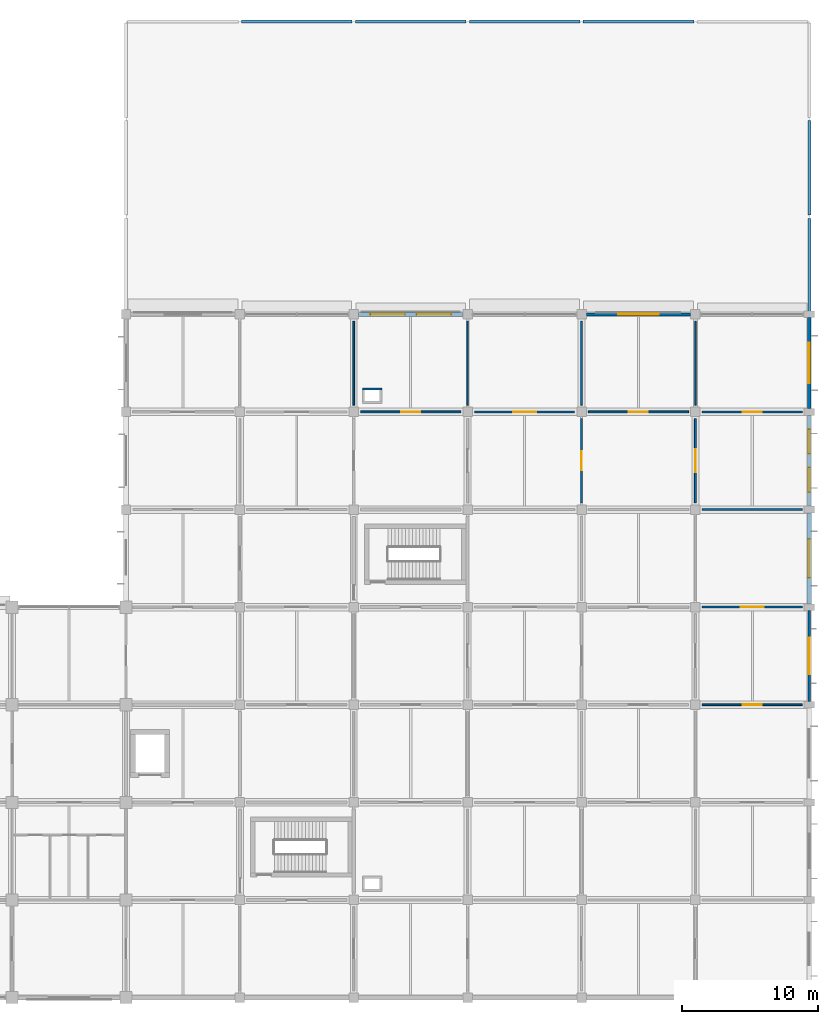
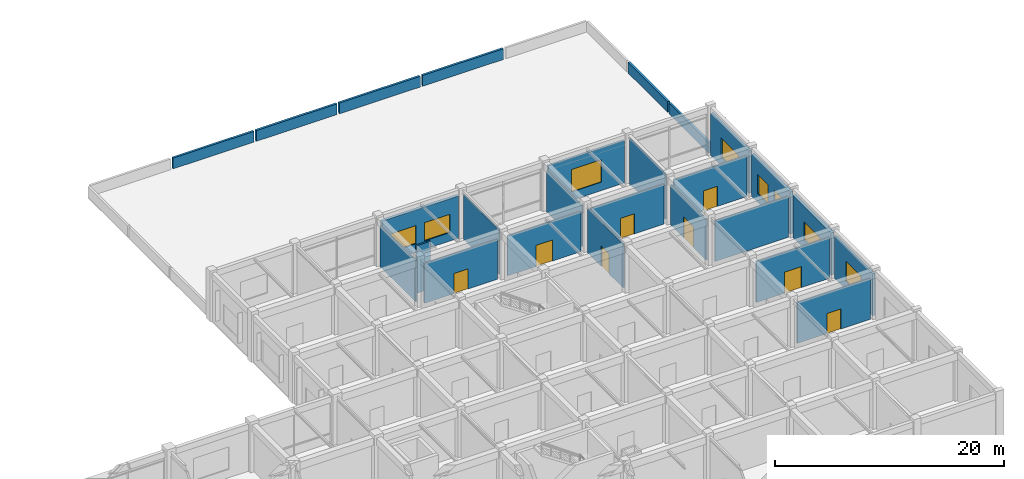
# One storey, part 30 of 41: 26 walls, 8 doors, 8 windows, 16 openings.
"""IFC4 building model written with IfcOpenShell, lengths in metres."""

from ifc_helpers import new_model, si_unit, derived_unit, direction, frame, frame_2d, origin, place, context, subcontext, project, spatial, rectangle, extrude, material, layer, layer_set, type_object, element, fill, save


model = new_model("IFC4")

# Units and contexts
model_context = context("Model", 3, precision=1e-05, world=origin(), true_north=direction((0.0, 1.0)))
body_context = subcontext(model_context, "Body", "Model", "MODEL_VIEW")
ifc_project = project(units=[si_unit("LENGTHUNIT", "METRE"), si_unit("AREAUNIT", "SQUARE_METRE"), si_unit("VOLUMEUNIT", "CUBIC_METRE"), si_unit("PLANEANGLEUNIT", "RADIAN"), si_unit("MASSUNIT", "GRAM", prefix="KILO"), derived_unit("THERMALTRANSMITTANCEUNIT", [(si_unit("MASSUNIT", "GRAM", prefix="KILO"), 1), (si_unit("TIMEUNIT", "SECOND"), -3), (si_unit("THERMODYNAMICTEMPERATUREUNIT", "KELVIN"), -1)])], contexts=[model_context])

# Site, building, storey
site_placement = place(None, origin())
site = spatial("IfcSite", under=ifc_project, at=site_placement, CompositionType="ELEMENT")
building_placement = place(site_placement, origin())
building = spatial("IfcBuilding", under=site, at=building_placement, Name="Veldstrom Oceanarium and Marine Research Institute", CompositionType="ELEMENT")
storey_placement = place(building_placement, frame((0.0, 0.0, 6.0)))
storey = spatial("IfcBuildingStorey", under=building, at=storey_placement, Name="L01", CompositionType="ELEMENT", Elevation=6.0)

# Wall, opening, window
ifc_material_1 = material(Name="Masonry Cavity Wall", Category="masonry")
ifc_layer_1 = layer(ifc_material_1, 0.31005859375)
ifc_layer_set_1 = layer_set([ifc_layer_1], Name="ARC-WAL-EW1")
wall_type_1 = type_object("IfcWallType", Name="ARC-WAL-EW1", PredefinedType="SOLIDWALL", material=ifc_layer_set_1)
wall_1_placement = place(storey_placement, frame((168.0, 72.25, 0.0), z_axis=(0.0, 0.0, 1.0), x_axis=(0.0, 1.0, 0.0)))
wall_1 = element("IfcWall", 1, at=wall_1_placement, inside=storey, type_object=wall_type_1, Name="Exterior Facade Wall EW1 L01-112", PredefinedType="SOLIDWALL", context=body_context, shape_type="SweptSolid", body=[
    extrude(rectangle(XDim=6.699951171875, YDim=0.31005859375, at=frame_2d((3.35009765625, 0.0))), origin(), (0.0, 0.0, 1.0), 4.52001953125),
])
opening_1_placement = place(wall_1_placement, frame((1.925048828125, 0.0, 0.89990234375)))
opening_1 = element("IfcOpeningElement", 2, at=opening_1_placement, cuts=wall_1, Name="Opening W19", PredefinedType="OPENING", context=body_context, shape_type="SweptSolid", body=[
    extrude(rectangle(XDim=2.85009765625, YDim=1.949951171875, at=frame_2d((1.425048828125, 0.97509765625))), frame((0.0, 0.1650390625, 0.0), z_axis=(0.0, -1.0, 0.0), x_axis=(1.0, 0.0, 0.0)), (0.0, 0.0, 1.0), 0.330078125),
])
ifc_material_2 = material(Name="Double Glazed Low-E IGU", Category="glass")
window_type_1 = type_object("IfcWindowType", Name="ARC-WIN-W19", PartitioningType="SINGLE_PANEL", PredefinedType="WINDOW", material=ifc_material_2)
window_1_placement = place(opening_1_placement, origin())
window_1 = element("IfcWindow", 3, at=window_1_placement, inside=storey, type_object=window_type_1, Name="Facade Window W19 L01-0077", OverallHeight=1.949951171875, OverallWidth=2.85009765625, PartitioningType="SINGLE_PANEL", PredefinedType="WINDOW", context=body_context, shape_type="SweptSolid", body=[
    extrude(rectangle(XDim=2.85009765625, YDim=1.949951171875, at=frame_2d((1.425048828125, 0.97509765625))), frame((0.0, 0.030029296875, 0.0), z_axis=(0.0, -1.0, 0.0), x_axis=(1.0, 0.0, 0.0)), (0.0, 0.0, 1.0), 0.06005859375),
])
fill(opening_1, window_1)

# Wall, openings, windows
ifc_material_3 = material(Name="Masonry Cavity Wall", Category="masonry")
ifc_layer_2 = layer(ifc_material_3, 0.2900390625)
ifc_layer_set_2 = layer_set([ifc_layer_2], Name="ARC-WAL-EW2")
wall_type_2 = type_object("IfcWallType", Name="ARC-WAL-EW2", PredefinedType="SOLIDWALL", material=ifc_layer_set_2)
wall_2_placement = place(storey_placement, frame((134.75, 93.60009765625, 0.0), z_axis=(0.0, 0.0, 1.0), x_axis=(1.0, 0.0, 0.0)))
wall_2 = element("IfcWall", 4, at=wall_2_placement, inside=storey, type_object=wall_type_2, Name="Exterior Facade Wall EW2 L01-103", PredefinedType="SOLIDWALL", context=body_context, shape_type="SweptSolid", body=[
    extrude(rectangle(XDim=7.699951171875, YDim=0.2900390625, at=frame_2d((3.85009765625, 0.0))), origin(), (0.0, 0.0, 1.0), 4.52001953125),
])
opening_2_placement = place(wall_2_placement, frame((0.86669921875, 0.0, 0.89990234375)))
opening_2 = element("IfcOpeningElement", 5, at=opening_2_placement, cuts=wall_2, Name="Opening W20", PredefinedType="OPENING", context=body_context, shape_type="SweptSolid", body=[
    extrude(rectangle(XDim=2.550048828125, YDim=1.949951171875, at=frame_2d((1.27490234375, 0.97509765625))), frame((0.0, 0.155029296875, 0.0), z_axis=(0.0, -1.0, 0.0), x_axis=(1.0, 0.0, 0.0)), (0.0, 0.0, 1.0), 0.31005859375),
])
opening_3_placement = place(wall_2_placement, frame((4.283203125, 0.0, 0.89990234375)))
opening_3 = element("IfcOpeningElement", 6, at=opening_3_placement, cuts=wall_2, Name="Opening W20", PredefinedType="OPENING", context=body_context, shape_type="SweptSolid", body=[
    extrude(rectangle(XDim=2.550048828125, YDim=1.949951171875, at=frame_2d((1.27490234375, 0.97509765625))), frame((0.0, 0.155029296875, 0.0), z_axis=(0.0, -1.0, 0.0), x_axis=(1.0, 0.0, 0.0)), (0.0, 0.0, 1.0), 0.31005859375),
])
ifc_material_4 = material(Name="Double Glazed Low-E IGU", Category="glass")
window_type_2 = type_object("IfcWindowType", Name="ARC-WIN-W20", PartitioningType="SINGLE_PANEL", PredefinedType="WINDOW", material=ifc_material_4)
window_2_placement = place(opening_2_placement, origin())
window_2 = element("IfcWindow", 7, at=window_2_placement, inside=storey, type_object=window_type_2, Name="Facade Window W20 L01-0070", OverallHeight=1.949951171875, OverallWidth=2.550048828125, PartitioningType="SINGLE_PANEL", PredefinedType="WINDOW", context=body_context, shape_type="SweptSolid", body=[
    extrude(rectangle(XDim=2.550048828125, YDim=1.949951171875, at=frame_2d((1.27490234375, 0.97509765625))), frame((0.0, 0.030029296875, 0.0), z_axis=(0.0, -1.0, 0.0), x_axis=(1.0, 0.0, 0.0)), (0.0, 0.0, 1.0), 0.06005859375),
])
fill(opening_2, window_2)
window_3_placement = place(opening_3_placement, origin())
window_3 = element("IfcWindow", 8, at=window_3_placement, inside=storey, type_object=window_type_2, Name="Facade Window W20 L01-0071", OverallHeight=1.949951171875, OverallWidth=2.550048828125, PartitioningType="SINGLE_PANEL", PredefinedType="WINDOW", context=body_context, shape_type="SweptSolid", body=[
    extrude(rectangle(XDim=2.550048828125, YDim=1.949951171875, at=frame_2d((1.27490234375, 0.97509765625))), frame((0.0, 0.030029296875, 0.0), z_axis=(0.0, -1.0, 0.0), x_axis=(1.0, 0.0, 0.0)), (0.0, 0.0, 1.0), 0.06005859375),
])
fill(opening_3, window_3)

wall_3_placement = place(storey_placement, frame((168.0, 79.449951171875, 0.0), z_axis=(0.0, 0.0, 1.0), x_axis=(0.0, 1.0, 0.0)))
wall_3 = element("IfcWall", 9, at=wall_3_placement, inside=storey, type_object=wall_type_2, Name="Exterior Facade Wall EW2 L01-113", PredefinedType="SOLIDWALL", context=body_context, shape_type="SweptSolid", body=[
    extrude(rectangle(XDim=6.699951171875, YDim=0.2900390625, at=frame_2d((3.35009765625, 0.0))), origin(), (0.0, 0.0, 1.0), 4.52001953125),
])
opening_4_placement = place(wall_3_placement, frame((1.033203125, 0.0, 0.89990234375)))
opening_4 = element("IfcOpeningElement", 10, at=opening_4_placement, cuts=wall_3, Name="Opening W10", PredefinedType="OPENING", context=body_context, shape_type="SweptSolid", body=[
    extrude(rectangle(XDim=1.800048828125, YDim=2.10009765625, at=frame_2d((0.89990234375, 1.050048828125))), frame((0.0, 0.155029296875, 0.0), z_axis=(0.0, -1.0, 0.0), x_axis=(1.0, 0.0, 0.0)), (0.0, 0.0, 1.0), 0.31005859375),
])
opening_5_placement = place(wall_3_placement, frame((3.86669921875, 0.0, 0.89990234375)))
opening_5 = element("IfcOpeningElement", 11, at=opening_5_placement, cuts=wall_3, Name="Opening W10", PredefinedType="OPENING", context=body_context, shape_type="SweptSolid", body=[
    extrude(rectangle(XDim=1.800048828125, YDim=2.10009765625, at=frame_2d((0.89990234375, 1.050048828125))), frame((0.0, 0.155029296875, 0.0), z_axis=(0.0, -1.0, 0.0), x_axis=(1.0, 0.0, 0.0)), (0.0, 0.0, 1.0), 0.31005859375),
])
ifc_material_5 = material(Name="Double Glazed Low-E IGU", Category="glass")
window_type_3 = type_object("IfcWindowType", Name="ARC-WIN-W10", PartitioningType="SINGLE_PANEL", PredefinedType="WINDOW", material=ifc_material_5)
window_4_placement = place(opening_4_placement, origin())
window_4 = element("IfcWindow", 12, at=window_4_placement, inside=storey, type_object=window_type_3, Name="Facade Window W10 L01-0078", OverallHeight=2.10009765625, OverallWidth=1.800048828125, PartitioningType="SINGLE_PANEL", PredefinedType="WINDOW", context=body_context, shape_type="SweptSolid", body=[
    extrude(rectangle(XDim=1.800048828125, YDim=2.10009765625, at=frame_2d((0.89990234375, 1.050048828125))), frame((0.0, 0.030029296875, 0.0), z_axis=(0.0, -1.0, 0.0), x_axis=(1.0, 0.0, 0.0)), (0.0, 0.0, 1.0), 0.06005859375),
])
fill(opening_4, window_4)
window_5_placement = place(opening_5_placement, origin())
window_5 = element("IfcWindow", 13, at=window_5_placement, inside=storey, type_object=window_type_3, Name="Facade Window W10 L01-0079", OverallHeight=2.10009765625, OverallWidth=1.800048828125, PartitioningType="SINGLE_PANEL", PredefinedType="WINDOW", context=body_context, shape_type="SweptSolid", body=[
    extrude(rectangle(XDim=1.800048828125, YDim=2.10009765625, at=frame_2d((0.89990234375, 1.050048828125))), frame((0.0, 0.030029296875, 0.0), z_axis=(0.0, -1.0, 0.0), x_axis=(1.0, 0.0, 0.0)), (0.0, 0.0, 1.0), 0.06005859375),
])
fill(opening_5, window_5)

# Wall, opening, window
ifc_material_6 = material(Name="Masonry Cavity Wall", Category="masonry")
ifc_layer_3 = layer(ifc_material_6, 0.27001953125)
ifc_layer_set_3 = layer_set([ifc_layer_3], Name="ARC-WAL-EW3")
wall_type_3 = type_object("IfcWallType", Name="ARC-WAL-EW3", PredefinedType="SOLIDWALL", material=ifc_layer_set_3)
wall_4_placement = place(storey_placement, frame((168.0, 86.64990234375, 0.0), z_axis=(0.0, 0.0, 1.0), x_axis=(0.0, 1.0, 0.0)))
wall_4 = element("IfcWall", 14, at=wall_4_placement, inside=storey, type_object=wall_type_3, Name="Exterior Facade Wall EW3 L01-114", PredefinedType="SOLIDWALL", context=body_context, shape_type="SweptSolid", body=[
    extrude(rectangle(XDim=6.7001953125, YDim=0.27001953125, at=frame_2d((3.35009765625, 0.0))), origin(), (0.0, 0.0, 1.0), 4.52001953125),
])
opening_6_placement = place(wall_4_placement, frame((1.85009765625, 0.0, 0.89990234375)))
opening_6 = element("IfcOpeningElement", 15, at=opening_6_placement, cuts=wall_4, Name="Opening W07", PredefinedType="OPENING", context=body_context, shape_type="SweptSolid", body=[
    extrude(rectangle(XDim=3.0, YDim=2.10009765625, at=frame_2d((1.5, 1.050048828125))), frame((0.0, 0.14501953125, 0.0), z_axis=(0.0, -1.0, 0.0), x_axis=(1.0, 0.0, 0.0)), (0.0, 0.0, 1.0), 0.2900390625),
])
ifc_material_7 = material(Name="Double Glazed Low-E IGU", Category="glass")
window_type_4 = type_object("IfcWindowType", Name="ARC-WIN-W07", PartitioningType="SINGLE_PANEL", PredefinedType="WINDOW", material=ifc_material_7)
window_6_placement = place(opening_6_placement, origin())
window_6 = element("IfcWindow", 16, at=window_6_placement, inside=storey, type_object=window_type_4, Name="Facade Window W07 L01-0080", OverallHeight=2.10009765625, OverallWidth=3.0, PartitioningType="SINGLE_PANEL", PredefinedType="WINDOW", context=body_context, shape_type="SweptSolid", body=[
    extrude(rectangle(XDim=3.0, YDim=2.10009765625, at=frame_2d((1.5, 1.050048828125))), frame((0.0, 0.030029296875, 0.0), z_axis=(0.0, -1.0, 0.0), x_axis=(1.0, 0.0, 0.0)), (0.0, 0.0, 1.0), 0.06005859375),
])
fill(opening_6, window_6)

ifc_material_8 = material(Name="Masonry Cavity Wall", Category="masonry")
ifc_layer_4 = layer(ifc_material_8, 0.215087890625)
ifc_layer_set_4 = layer_set([ifc_layer_4], Name="ARC-WAL-EW6")
wall_type_4 = type_object("IfcWallType", Name="ARC-WAL-EW6", PredefinedType="SOLIDWALL", material=ifc_layer_set_4)
wall_5_placement = place(storey_placement, frame((151.550048828125, 93.60009765625, 0.0), z_axis=(0.0, 0.0, 1.0), x_axis=(1.0, 0.0, 0.0)))
wall_5 = element("IfcWall", 17, at=wall_5_placement, inside=storey, type_object=wall_type_4, Name="Exterior Facade Wall EW6 L01-106", PredefinedType="SOLIDWALL", context=body_context, shape_type="SweptSolid", body=[
    extrude(rectangle(XDim=7.699951171875, YDim=0.215087890625, at=frame_2d((3.85009765625, 0.0))), origin(), (0.0, 0.0, 1.0), 4.52001953125),
])
opening_7_placement = place(wall_5_placement, frame((2.35009765625, 0.0, 0.89990234375)))
opening_7 = element("IfcOpeningElement", 18, at=opening_7_placement, cuts=wall_5, Name="Opening W12", PredefinedType="OPENING", context=body_context, shape_type="SweptSolid", body=[
    extrude(rectangle(XDim=3.0, YDim=2.39990234375, at=frame_2d((1.5, 1.199951171875))), frame((0.0, 0.117431640625, 0.0), z_axis=(0.0, -1.0, 0.0), x_axis=(1.0, 0.0, 0.0)), (0.0, 0.0, 1.0), 0.235107421875),
])
ifc_material_9 = material(Name="Double Glazed Low-E IGU", Category="glass")
window_type_5 = type_object("IfcWindowType", Name="ARC-WIN-W12", PartitioningType="SINGLE_PANEL", PredefinedType="WINDOW", material=ifc_material_9)
window_7_placement = place(opening_7_placement, origin())
window_7 = element("IfcWindow", 19, at=window_7_placement, inside=storey, type_object=window_type_5, Name="Facade Window W12 L01-0072", OverallHeight=2.39990234375, OverallWidth=3.0, PartitioningType="SINGLE_PANEL", PredefinedType="WINDOW", context=body_context, shape_type="SweptSolid", body=[
    extrude(rectangle(XDim=3.0, YDim=2.39990234375, at=frame_2d((1.5, 1.199951171875))), frame((0.0, 0.030029296875, 0.0), z_axis=(0.0, -1.0, 0.0), x_axis=(1.0, 0.0, 0.0)), (0.0, 0.0, 1.0), 0.06005859375),
])
fill(opening_7, window_7)

wall_6_placement = place(storey_placement, frame((168.0, 65.050048828125, 0.0), z_axis=(0.0, 0.0, 1.0), x_axis=(0.0, 1.0, 0.0)))
wall_6 = element("IfcWall", 20, at=wall_6_placement, inside=storey, type_object=wall_type_4, Name="Exterior Facade Wall EW6 L01-111", PredefinedType="SOLIDWALL", context=body_context, shape_type="SweptSolid", body=[
    extrude(rectangle(XDim=6.699951171875, YDim=0.215087890625, at=frame_2d((3.35009765625, 0.0))), origin(), (0.0, 0.0, 1.0), 4.52001953125),
])
opening_8_placement = place(wall_6_placement, frame((2.0, 0.0, 0.89990234375)))
opening_8 = element("IfcOpeningElement", 21, at=opening_8_placement, cuts=wall_6, Name="Opening W08", PredefinedType="OPENING", context=body_context, shape_type="SweptSolid", body=[
    extrude(rectangle(XDim=2.699951171875, YDim=2.10009765625, at=frame_2d((1.35009765625, 1.050048828125))), frame((0.0, 0.117431640625, 0.0), z_axis=(0.0, -1.0, 0.0), x_axis=(1.0, 0.0, 0.0)), (0.0, 0.0, 1.0), 0.235107421875),
])
ifc_material_10 = material(Name="Double Glazed Low-E IGU", Category="glass")
window_type_6 = type_object("IfcWindowType", Name="ARC-WIN-W08", PartitioningType="SINGLE_PANEL", PredefinedType="WINDOW", material=ifc_material_10)
window_8_placement = place(opening_8_placement, origin())
window_8 = element("IfcWindow", 22, at=window_8_placement, inside=storey, type_object=window_type_6, Name="Facade Window W08 L01-0076", OverallHeight=2.10009765625, OverallWidth=2.699951171875, PartitioningType="SINGLE_PANEL", PredefinedType="WINDOW", context=body_context, shape_type="SweptSolid", body=[
    extrude(rectangle(XDim=2.699951171875, YDim=2.10009765625, at=frame_2d((1.35009765625, 1.050048828125))), frame((0.0, 0.030029296875, 0.0), z_axis=(0.0, -1.0, 0.0), x_axis=(1.0, 0.0, 0.0)), (0.0, 0.0, 1.0), 0.06005859375),
])
fill(opening_8, window_8)

# Walls
ifc_material_11 = material(Name="Masonry Cavity Wall", Category="masonry")
ifc_layer_5 = layer(ifc_material_11, 0.219970703125)
ifc_layer_set_5 = layer_set([ifc_layer_5], Name="ARC-WAL-PR1")
wall_type_5 = type_object("IfcWallType", Name="ARC-WAL-PR1", PredefinedType="PARAPET", material=ifc_layer_set_5)
for number, where, z_axis, x_axis, name in (
    (23, (126.1201171875, 115.199951171875, 0.0), (0.0, 0.0, 1.0), (1.0, 0.0, 0.0), "Roof Parapet Wall L00-014"),
    (24, (134.52001953125, 115.199951171875, 0.0), (0.0, 0.0, 1.0), (1.0, 0.0, 0.0), "Roof Parapet Wall L00-015"),
):
    element("IfcWall", number, at=place(storey_placement, frame(where, z_axis=z_axis, x_axis=x_axis)), inside=storey, type_object=wall_type_5, Name=name, PredefinedType="PARAPET", context=body_context, shape_type="SweptSolid", body=[
        extrude(rectangle(XDim=8.159912109375, YDim=0.219970703125, at=frame_2d((4.080078125, 0.0))), origin(), (0.0, 0.0, 1.0), 1.14990234375),
    ])
wall_7_placement = place(storey_placement, frame((142.919921875, 115.199951171875, 0.0), z_axis=(0.0, 0.0, 1.0), x_axis=(1.0, 0.0, 0.0)))
element("IfcWall", 25, at=wall_7_placement, inside=storey, type_object=wall_type_5, Name="Roof Parapet Wall L00-016", PredefinedType="PARAPET", context=body_context, shape_type="SweptSolid", body=[
    extrude(rectangle(XDim=8.16015625, YDim=0.219970703125, at=frame_2d((4.080078125, 0.0))), origin(), (0.0, 0.0, 1.0), 1.14990234375),
])
wall_8_placement = place(storey_placement, frame((151.320068359375, 115.199951171875, 0.0), z_axis=(0.0, 0.0, 1.0), x_axis=(1.0, 0.0, 0.0)))
element("IfcWall", 26, at=wall_8_placement, inside=storey, type_object=wall_type_5, Name="Roof Parapet Wall L00-017", PredefinedType="PARAPET", context=body_context, shape_type="SweptSolid", body=[
    extrude(rectangle(XDim=8.159912109375, YDim=0.219970703125, at=frame_2d((4.080078125, 0.0))), origin(), (0.0, 0.0, 1.0), 1.14990234375),
])
for number, where, z_axis, x_axis, name in (
    (27, (168.0, 93.719970703125, 0.0), (0.0, 0.0, 1.0), (0.0, 1.0, 0.0), "Roof Parapet Wall L00-018"),
    (28, (168.0, 100.919921875, 0.0), (0.0, 0.0, 1.0), (0.0, 1.0, 0.0), "Roof Parapet Wall L00-019"),
):
    element("IfcWall", number, at=place(storey_placement, frame(where, z_axis=z_axis, x_axis=x_axis)), inside=storey, type_object=wall_type_5, Name=name, PredefinedType="PARAPET", context=body_context, shape_type="SweptSolid", body=[
        extrude(rectangle(XDim=6.9599609375, YDim=0.219970703125, at=frame_2d((3.47998046875, 0.0))), origin(), (0.0, 0.0, 1.0), 1.14990234375),
    ])

# Wall, opening, door
ifc_material_12 = material(Name="Drywall Corridor Partition", Category="gypsum")
ifc_layer_6 = layer(ifc_material_12, 0.155029296875)
ifc_layer_set_6 = layer_set([ifc_layer_6], Name="ARC-WAL-PT4")
wall_type_6 = type_object("IfcWallType", Name="ARC-WAL-PT4", PredefinedType="PARTITIONING", material=ifc_layer_set_6)
wall_9_placement = place(storey_placement, frame((151.199951171875, 79.699951171875, 0.0), z_axis=(0.0, 0.0, 1.0), x_axis=(0.0, 1.0, 0.0)))
wall_9 = element("IfcWall", 29, at=wall_9_placement, inside=storey, type_object=wall_type_6, Name="Interior Partition PT4 L01-1034", PredefinedType="PARTITIONING", context=body_context, shape_type="SweptSolid", body=[
    extrude(rectangle(XDim=6.199951171875, YDim=0.155029296875, at=frame_2d((3.10009765625, 0.0))), origin(), (0.0, 0.0, 1.0), 4.669921875),
])
opening_9_placement = place(wall_9_placement, frame((2.39990234375, 0.0, 0.0)))
opening_9 = element("IfcOpeningElement", 30, at=opening_9_placement, cuts=wall_9, Name="Opening D-L01-599", PredefinedType="OPENING", context=body_context, shape_type="SweptSolid", body=[
    extrude(rectangle(XDim=1.39990234375, YDim=2.14990234375, at=frame_2d((0.699951171875, 1.074951171875))), frame((0.0, 0.08740234375, 0.0), z_axis=(0.0, -1.0, 0.0), x_axis=(1.0, 0.0, 0.0)), (0.0, 0.0, 1.0), 0.175048828125),
])
ifc_material_13 = material(Name="Education Classroom Door", Category="timber")
door_type_1 = type_object("IfcDoorType", Name="ARC-DOR-ID04", OperationType="DOUBLE_DOOR_SINGLE_SWING", PredefinedType="DOOR", material=ifc_material_13)
door_1_placement = place(opening_9_placement, origin())
door_1 = element("IfcDoor", 31, at=door_1_placement, inside=storey, type_object=door_type_1, Name="Interior Door D-L01-599", OperationType="DOUBLE_DOOR_SINGLE_SWING", OverallHeight=2.14990234375, OverallWidth=1.39990234375, PredefinedType="DOOR", context=body_context, shape_type="SweptSolid", body=[
    extrude(rectangle(XDim=1.39990234375, YDim=2.14990234375, at=frame_2d((0.699951171875, 1.074951171875))), frame((0.0, 0.02490234375, 0.0), z_axis=(0.0, -1.0, 0.0), x_axis=(1.0, 0.0, 0.0)), (0.0, 0.0, 1.0), 0.050048828125),
])
fill(opening_9, door_1)

wall_10_placement = place(storey_placement, frame((143.300048828125, 86.39990234375, 0.0), z_axis=(0.0, 0.0, 1.0), x_axis=(1.0, 0.0, 0.0)))
wall_10 = element("IfcWall", 32, at=wall_10_placement, inside=storey, type_object=wall_type_6, Name="Interior Partition PT4 L01-1035", PredefinedType="PARTITIONING", context=body_context, shape_type="SweptSolid", body=[
    extrude(rectangle(XDim=7.39990234375, YDim=0.155029296875, at=frame_2d((3.699951171875, 0.0))), origin(), (0.0, 0.0, 1.0), 4.27001953125),
])
opening_10_placement = place(wall_10_placement, frame((2.85009765625, 0.0, 0.0)))
opening_10 = element("IfcOpeningElement", 33, at=opening_10_placement, cuts=wall_10, Name="Opening D-L01-600", PredefinedType="OPENING", context=body_context, shape_type="SweptSolid", body=[
    extrude(rectangle(XDim=1.699951171875, YDim=2.25, at=frame_2d((0.85009765625, 1.125))), frame((0.0, 0.08740234375, 0.0), z_axis=(0.0, -1.0, 0.0), x_axis=(1.0, 0.0, 0.0)), (0.0, 0.0, 1.0), 0.175048828125),
])
ifc_material_14 = material(Name="Symposium Auditorium Door", Category="timber")
door_type_2 = type_object("IfcDoorType", Name="ARC-DOR-ID13", OperationType="DOUBLE_DOOR_SINGLE_SWING", PredefinedType="DOOR", material=ifc_material_14)
door_2_placement = place(opening_10_placement, frame((1.699951171875, 0.0, 0.0), z_axis=(0.0, 0.0, 1.0), x_axis=(-1.0, 0.0, 0.0)))
door_2 = element("IfcDoor", 34, at=door_2_placement, inside=storey, type_object=door_type_2, Name="Interior Door D-L01-600", OperationType="DOUBLE_DOOR_SINGLE_SWING", OverallHeight=2.25, OverallWidth=1.699951171875, PredefinedType="DOOR", context=body_context, shape_type="SweptSolid", body=[
    extrude(rectangle(XDim=1.699951171875, YDim=2.25, at=frame_2d((0.85009765625, 1.125))), frame((0.0, 0.02490234375, 0.0), z_axis=(0.0, -1.0, 0.0), x_axis=(1.0, 0.0, 0.0)), (0.0, 0.0, 1.0), 0.050048828125),
])
fill(opening_10, door_2)

wall_11_placement = place(storey_placement, frame((160.10009765625, 72.0, 0.0), z_axis=(0.0, 0.0, 1.0), x_axis=(1.0, 0.0, 0.0)))
wall_11 = element("IfcWall", 35, at=wall_11_placement, inside=storey, type_object=wall_type_6, Name="Interior Partition PT4 L01-1053", PredefinedType="PARTITIONING", context=body_context, shape_type="SweptSolid", body=[
    extrude(rectangle(XDim=7.39990234375, YDim=0.155029296875, at=frame_2d((3.699951171875, 0.0))), origin(), (0.0, 0.0, 1.0), 4.3701171875),
])
opening_11_placement = place(wall_11_placement, frame((2.85009765625, 0.0, 0.0)))
opening_11 = element("IfcOpeningElement", 36, at=opening_11_placement, cuts=wall_11, Name="Opening D-L01-610", PredefinedType="OPENING", context=body_context, shape_type="SweptSolid", body=[
    extrude(rectangle(XDim=1.699951171875, YDim=2.25, at=frame_2d((0.85009765625, 1.125))), frame((0.0, 0.08740234375, 0.0), z_axis=(0.0, -1.0, 0.0), x_axis=(1.0, 0.0, 0.0)), (0.0, 0.0, 1.0), 0.175048828125),
])
door_3_placement = place(opening_11_placement, frame((1.699951171875, 0.0, 0.0), z_axis=(0.0, 0.0, 1.0), x_axis=(-1.0, 0.0, 0.0)))
door_3 = element("IfcDoor", 37, at=door_3_placement, inside=storey, type_object=door_type_2, Name="Interior Door D-L01-610", OperationType="DOUBLE_DOOR_SINGLE_SWING", OverallHeight=2.25, OverallWidth=1.699951171875, PredefinedType="DOOR", context=body_context, shape_type="SweptSolid", body=[
    extrude(rectangle(XDim=1.699951171875, YDim=2.25, at=frame_2d((0.85009765625, 1.125))), frame((0.0, 0.02490234375, 0.0), z_axis=(0.0, -1.0, 0.0), x_axis=(1.0, 0.0, 0.0)), (0.0, 0.0, 1.0), 0.050048828125),
])
fill(opening_11, door_3)

wall_12_placement = place(storey_placement, frame((160.10009765625, 86.39990234375, 0.0), z_axis=(0.0, 0.0, 1.0), x_axis=(1.0, 0.0, 0.0)))
wall_12 = element("IfcWall", 38, at=wall_12_placement, inside=storey, type_object=wall_type_6, Name="Interior Partition PT4 L01-1055", PredefinedType="PARTITIONING", context=body_context, shape_type="SweptSolid", body=[
    extrude(rectangle(XDim=7.39990234375, YDim=0.155029296875, at=frame_2d((3.699951171875, 0.0))), origin(), (0.0, 0.0, 1.0), 4.3701171875),
])
opening_12_placement = place(wall_12_placement, frame((3.0, 0.0, 0.0)))
opening_12 = element("IfcOpeningElement", 39, at=opening_12_placement, cuts=wall_12, Name="Opening D-L01-611", PredefinedType="OPENING", context=body_context, shape_type="SweptSolid", body=[
    extrude(rectangle(XDim=1.39990234375, YDim=2.14990234375, at=frame_2d((0.699951171875, 1.074951171875))), frame((0.0, 0.08740234375, 0.0), z_axis=(0.0, -1.0, 0.0), x_axis=(1.0, 0.0, 0.0)), (0.0, 0.0, 1.0), 0.175048828125),
])
door_4_placement = place(opening_12_placement, frame((1.39990234375, 0.0, 0.0), z_axis=(0.0, 0.0, 1.0), x_axis=(-1.0, 0.0, 0.0)))
door_4 = element("IfcDoor", 40, at=door_4_placement, inside=storey, type_object=door_type_1, Name="Interior Door D-L01-611", OperationType="DOUBLE_DOOR_SINGLE_SWING", OverallHeight=2.14990234375, OverallWidth=1.39990234375, PredefinedType="DOOR", context=body_context, shape_type="SweptSolid", body=[
    extrude(rectangle(XDim=1.39990234375, YDim=2.14990234375, at=frame_2d((0.699951171875, 1.074951171875))), frame((0.0, 0.02490234375, 0.0), z_axis=(0.0, -1.0, 0.0), x_axis=(1.0, 0.0, 0.0)), (0.0, 0.0, 1.0), 0.050048828125),
])
fill(opening_12, door_4)

ifc_material_15 = material(Name="Moisture-Resistant Wet-Area Partition", Category="masonry")
ifc_layer_7 = layer(ifc_material_15, 0.139892578125)
ifc_layer_set_7 = layer_set([ifc_layer_7], Name="ARC-WAL-PT5")
wall_type_7 = type_object("IfcWallType", Name="ARC-WAL-PT5", PredefinedType="PARTITIONING", material=ifc_layer_set_7)
wall_13_placement = place(storey_placement, frame((134.89990234375, 86.39990234375, 0.0), z_axis=(0.0, 0.0, 1.0), x_axis=(1.0, 0.0, 0.0)))
wall_13 = element("IfcWall", 41, at=wall_13_placement, inside=storey, type_object=wall_type_7, Name="Interior Partition PT5 L01-1022", PredefinedType="PARTITIONING", context=body_context, shape_type="SweptSolid", body=[
    extrude(rectangle(XDim=7.400146484375, YDim=0.139892578125, at=frame_2d((3.7001953125, 0.0))), origin(), (0.0, 0.0, 1.0), 4.27001953125),
])
opening_13_placement = place(wall_13_placement, frame((3.0, 0.0, 0.0)))
opening_13 = element("IfcOpeningElement", 42, at=opening_13_placement, cuts=wall_13, Name="Opening D-L01-593", PredefinedType="OPENING", context=body_context, shape_type="SweptSolid", body=[
    extrude(rectangle(XDim=1.39990234375, YDim=2.14990234375, at=frame_2d((0.699951171875, 1.074951171875))), frame((0.0, 0.079833984375, 0.0), z_axis=(0.0, -1.0, 0.0), x_axis=(1.0, 0.0, 0.0)), (0.0, 0.0, 1.0), 0.159912109375),
])
door_5_placement = place(opening_13_placement, origin())
door_5 = element("IfcDoor", 43, at=door_5_placement, inside=storey, type_object=door_type_1, Name="Interior Door D-L01-593", OperationType="DOUBLE_DOOR_SINGLE_SWING", OverallHeight=2.14990234375, OverallWidth=1.39990234375, PredefinedType="DOOR", context=body_context, shape_type="SweptSolid", body=[
    extrude(rectangle(XDim=1.39990234375, YDim=2.14990234375, at=frame_2d((0.699951171875, 1.074951171875))), frame((0.0, 0.02490234375, 0.0), z_axis=(0.0, -1.0, 0.0), x_axis=(1.0, 0.0, 0.0)), (0.0, 0.0, 1.0), 0.050048828125),
])
fill(opening_13, door_5)

wall_14_placement = place(storey_placement, frame((159.60009765625, 79.699951171875, 0.0), z_axis=(0.0, 0.0, 1.0), x_axis=(0.0, 1.0, 0.0)))
wall_14 = element("IfcWall", 44, at=wall_14_placement, inside=storey, type_object=wall_type_7, Name="Interior Partition PT5 L01-1047", PredefinedType="PARTITIONING", context=body_context, shape_type="SweptSolid", body=[
    extrude(rectangle(XDim=6.199951171875, YDim=0.139892578125, at=frame_2d((3.10009765625, 0.0))), origin(), (0.0, 0.0, 1.0), 4.320068359375),
])
opening_14_placement = place(wall_14_placement, frame((2.25, 0.0, 0.0)))
opening_14 = element("IfcOpeningElement", 45, at=opening_14_placement, cuts=wall_14, Name="Opening D-L01-606", PredefinedType="OPENING", context=body_context, shape_type="SweptSolid", body=[
    extrude(rectangle(XDim=1.699951171875, YDim=2.25, at=frame_2d((0.85009765625, 1.125))), frame((0.0, 0.079833984375, 0.0), z_axis=(0.0, -1.0, 0.0), x_axis=(1.0, 0.0, 0.0)), (0.0, 0.0, 1.0), 0.159912109375),
])
door_6_placement = place(opening_14_placement, frame((1.699951171875, 0.0, 0.0), z_axis=(0.0, 0.0, 1.0), x_axis=(-1.0, 0.0, 0.0)))
door_6 = element("IfcDoor", 46, at=door_6_placement, inside=storey, type_object=door_type_2, Name="Interior Door D-L01-606", OperationType="DOUBLE_DOOR_SINGLE_SWING", OverallHeight=2.25, OverallWidth=1.699951171875, PredefinedType="DOOR", context=body_context, shape_type="SweptSolid", body=[
    extrude(rectangle(XDim=1.699951171875, YDim=2.25, at=frame_2d((0.85009765625, 1.125))), frame((0.0, 0.02490234375, 0.0), z_axis=(0.0, -1.0, 0.0), x_axis=(1.0, 0.0, 0.0)), (0.0, 0.0, 1.0), 0.050048828125),
])
fill(opening_14, door_6)

wall_15_placement = place(storey_placement, frame((151.699951171875, 86.39990234375, 0.0), z_axis=(0.0, 0.0, 1.0), x_axis=(1.0, 0.0, 0.0)))
wall_15 = element("IfcWall", 47, at=wall_15_placement, inside=storey, type_object=wall_type_7, Name="Interior Partition PT5 L01-1048", PredefinedType="PARTITIONING", context=body_context, shape_type="SweptSolid", body=[
    extrude(rectangle(XDim=7.400146484375, YDim=0.139892578125, at=frame_2d((3.7001953125, 0.0))), origin(), (0.0, 0.0, 1.0), 4.27001953125),
])
opening_15_placement = place(wall_15_placement, frame((3.0, 0.0, 0.0)))
opening_15 = element("IfcOpeningElement", 48, at=opening_15_placement, cuts=wall_15, Name="Opening D-L01-607", PredefinedType="OPENING", context=body_context, shape_type="SweptSolid", body=[
    extrude(rectangle(XDim=1.39990234375, YDim=2.14990234375, at=frame_2d((0.699951171875, 1.074951171875))), frame((0.0, 0.079833984375, 0.0), z_axis=(0.0, -1.0, 0.0), x_axis=(1.0, 0.0, 0.0)), (0.0, 0.0, 1.0), 0.159912109375),
])
door_7_placement = place(opening_15_placement, origin())
door_7 = element("IfcDoor", 49, at=door_7_placement, inside=storey, type_object=door_type_1, Name="Interior Door D-L01-607", OperationType="DOUBLE_DOOR_SINGLE_SWING", OverallHeight=2.14990234375, OverallWidth=1.39990234375, PredefinedType="DOOR", context=body_context, shape_type="SweptSolid", body=[
    extrude(rectangle(XDim=1.39990234375, YDim=2.14990234375, at=frame_2d((0.699951171875, 1.074951171875))), frame((0.0, 0.02490234375, 0.0), z_axis=(0.0, -1.0, 0.0), x_axis=(1.0, 0.0, 0.0)), (0.0, 0.0, 1.0), 0.050048828125),
])
fill(opening_15, door_7)

wall_16_placement = place(storey_placement, frame((160.10009765625, 64.800048828125, 0.0), z_axis=(0.0, 0.0, 1.0), x_axis=(1.0, 0.0, 0.0)))
wall_16 = element("IfcWall", 50, at=wall_16_placement, inside=storey, type_object=wall_type_7, Name="Interior Partition PT5 L01-1052", PredefinedType="PARTITIONING", context=body_context, shape_type="SweptSolid", body=[
    extrude(rectangle(XDim=7.39990234375, YDim=0.139892578125, at=frame_2d((3.699951171875, 0.0))), origin(), (0.0, 0.0, 1.0), 4.3701171875),
])
opening_16_placement = place(wall_16_placement, frame((3.0, 0.0, 0.0)))
opening_16 = element("IfcOpeningElement", 51, at=opening_16_placement, cuts=wall_16, Name="Opening D-L01-609", PredefinedType="OPENING", context=body_context, shape_type="SweptSolid", body=[
    extrude(rectangle(XDim=1.39990234375, YDim=2.14990234375, at=frame_2d((0.699951171875, 1.074951171875))), frame((0.0, 0.079833984375, 0.0), z_axis=(0.0, -1.0, 0.0), x_axis=(1.0, 0.0, 0.0)), (0.0, 0.0, 1.0), 0.159912109375),
])
door_8_placement = place(opening_16_placement, origin())
door_8 = element("IfcDoor", 52, at=door_8_placement, inside=storey, type_object=door_type_1, Name="Interior Door D-L01-609", OperationType="DOUBLE_DOOR_SINGLE_SWING", OverallHeight=2.14990234375, OverallWidth=1.39990234375, PredefinedType="DOOR", context=body_context, shape_type="SweptSolid", body=[
    extrude(rectangle(XDim=1.39990234375, YDim=2.14990234375, at=frame_2d((0.699951171875, 1.074951171875))), frame((0.0, 0.02490234375, 0.0), z_axis=(0.0, -1.0, 0.0), x_axis=(1.0, 0.0, 0.0)), (0.0, 0.0, 1.0), 0.050048828125),
])
fill(opening_16, door_8)

# Walls
ifc_material_16 = material(Name="Lightweight Studio Partition", Category="gypsum")
ifc_layer_8 = layer(ifc_material_16, 0.1201171875)
ifc_layer_set_8 = layer_set([ifc_layer_8], Name="ARC-WAL-PT6")
wall_type_8 = type_object("IfcWallType", Name="ARC-WAL-PT6", PredefinedType="PARTITIONING", material=ifc_layer_set_8)
wall_17_placement = place(storey_placement, frame((134.39990234375, 86.89990234375, 0.0), z_axis=(0.0, 0.0, 1.0), x_axis=(0.0, 1.0, 0.0)))
element("IfcWall", 53, at=wall_17_placement, inside=storey, type_object=wall_type_8, Name="Interior Partition PT6 L01-1010", PredefinedType="PARTITIONING", context=body_context, shape_type="SweptSolid", body=[
    extrude(rectangle(XDim=6.2001953125, YDim=0.1201171875, at=frame_2d((3.10009765625, 0.0))), origin(), (0.0, 0.0, 1.0), 4.419921875),
])
wall_18_placement = place(storey_placement, frame((142.800048828125, 86.89990234375, 0.0), z_axis=(0.0, 0.0, 1.0), x_axis=(0.0, 1.0, 0.0)))
element("IfcWall", 54, at=wall_18_placement, inside=storey, type_object=wall_type_8, Name="Interior Partition PT6 L01-1023", PredefinedType="PARTITIONING", context=body_context, shape_type="SweptSolid", body=[
    extrude(rectangle(XDim=6.2001953125, YDim=0.1201171875, at=frame_2d((3.10009765625, 0.0))), origin(), (0.0, 0.0, 1.0), 4.77001953125),
])
wall_19_placement = place(storey_placement, frame((151.199951171875, 86.89990234375, 0.0), z_axis=(0.0, 0.0, 1.0), x_axis=(0.0, 1.0, 0.0)))
element("IfcWall", 55, at=wall_19_placement, inside=storey, type_object=wall_type_8, Name="Interior Partition PT6 L01-1036", PredefinedType="PARTITIONING", context=body_context, shape_type="SweptSolid", body=[
    extrude(rectangle(XDim=6.2001953125, YDim=0.1201171875, at=frame_2d((3.10009765625, 0.0))), origin(), (0.0, 0.0, 1.0), 4.419921875),
])
wall_20_placement = place(storey_placement, frame((159.60009765625, 86.89990234375, 0.0), z_axis=(0.0, 0.0, 1.0), x_axis=(0.0, 1.0, 0.0)))
element("IfcWall", 56, at=wall_20_placement, inside=storey, type_object=wall_type_8, Name="Interior Partition PT6 L01-1049", PredefinedType="PARTITIONING", context=body_context, shape_type="SweptSolid", body=[
    extrude(rectangle(XDim=6.2001953125, YDim=0.1201171875, at=frame_2d((3.10009765625, 0.0))), origin(), (0.0, 0.0, 1.0), 4.8798828125),
])
wall_21_placement = place(storey_placement, frame((160.10009765625, 79.199951171875, 0.0), z_axis=(0.0, 0.0, 1.0), x_axis=(1.0, 0.0, 0.0)))
element("IfcWall", 57, at=wall_21_placement, inside=storey, type_object=wall_type_8, Name="Interior Partition PT6 L01-1054", PredefinedType="PARTITIONING", context=body_context, shape_type="SweptSolid", body=[
    extrude(rectangle(XDim=7.39990234375, YDim=0.1201171875, at=frame_2d((3.699951171875, 0.0))), origin(), (0.0, 0.0, 1.0), 4.3701171875),
])
ifc_material_17 = material(Name="Service Riser Fire Shaft Wall", Category="masonry")
ifc_layer_9 = layer(ifc_material_17, 0.1650390625)
ifc_layer_set_9 = layer_set([ifc_layer_9], Name="ARC-WAL-PT9")
wall_type_9 = type_object("IfcWallType", Name="ARC-WAL-PT9", PredefinedType="PARTITIONING", material=ifc_layer_set_9)
wall_22_placement = place(storey_placement, frame((135.034912109375, 88.08251953125, 0.0), z_axis=(0.0, 0.0, 1.0), x_axis=(1.0, 0.0, 0.0)))
element("IfcWall", 58, at=wall_22_placement, inside=storey, type_object=wall_type_9, Name="Service Riser Fire Shaft Wall L01-EN-N", PredefinedType="PARTITIONING", context=body_context, shape_type="SweptSolid", body=[
    extrude(rectangle(XDim=1.43017578125, YDim=0.1650390625, at=frame_2d((0.715087890625, 0.0))), origin(), (0.0, 0.0, 1.0), 5.074951171875),
])

save(model, "model.ifc")
